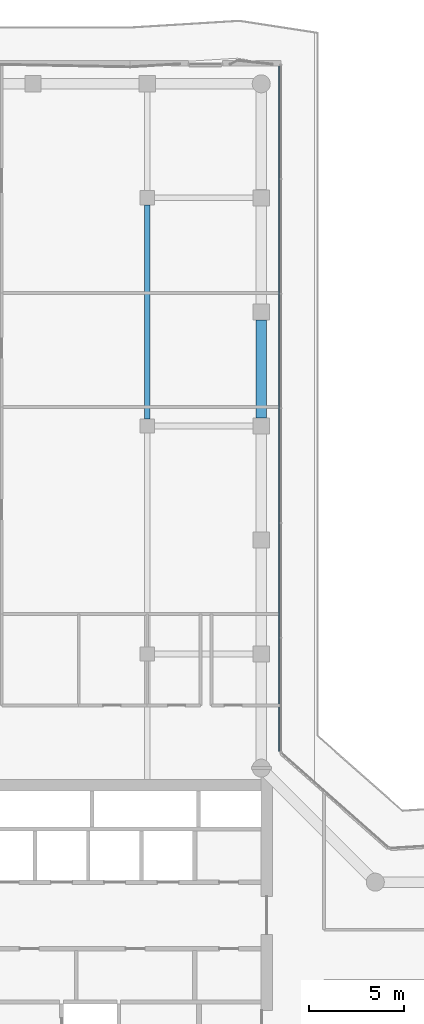
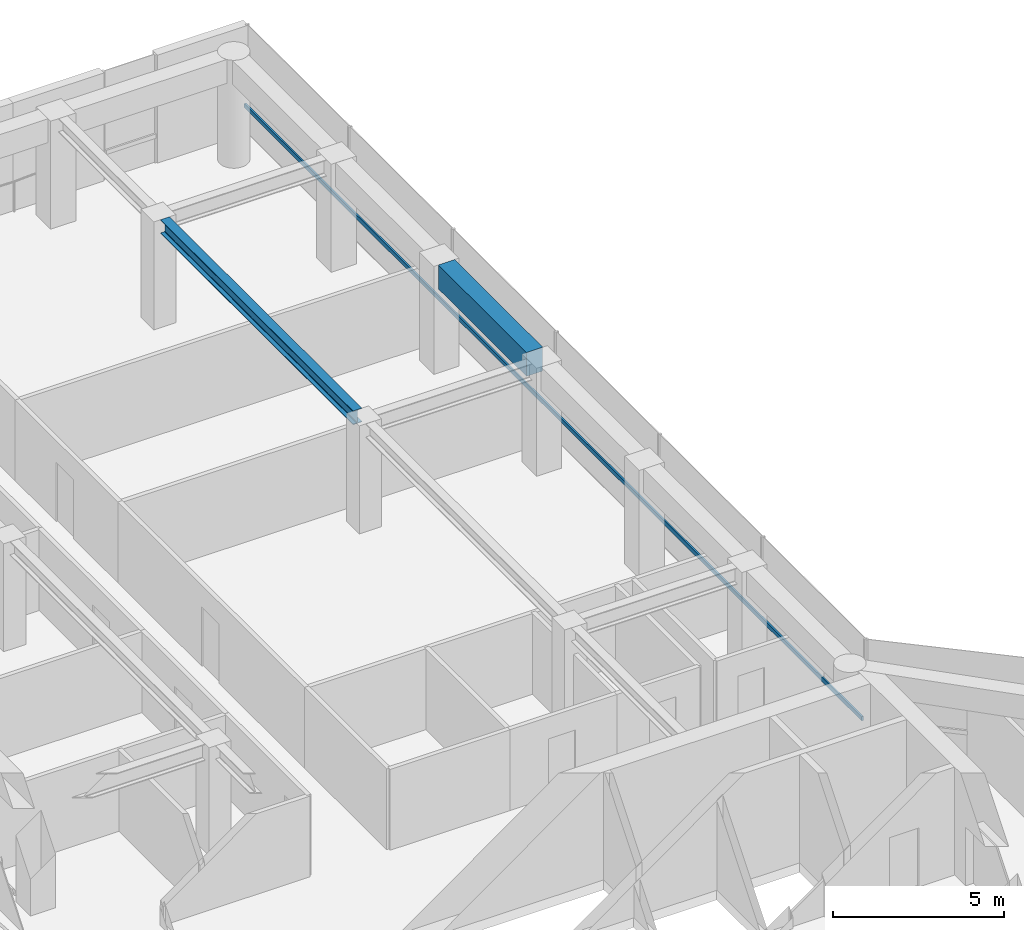
# One storey, part 14 of 21: 2 beams, 1 member, 1 element without a shape of its own.
"""IFC4 building model written with IfcOpenShell, lengths in metres."""

from ifc_helpers import new_model, si_unit, direction, frame, origin, origin_2d, place, context, subcontext, project, spatial, rectangle, i_section, extrude, material, layer, layer_set, material_profile, profile_set, type_object, element, aggregate, save


model = new_model("IFC4")

# Units and contexts
model_context = context("Model", 3, precision=1e-05, world=origin(), true_north=direction((0.0, 1.0)))
body_context = subcontext(model_context, "Body", "Model", "MODEL_VIEW")
ifc_project = project(units=[si_unit("LENGTHUNIT", "METRE"), si_unit("AREAUNIT", "SQUARE_METRE"), si_unit("VOLUMEUNIT", "CUBIC_METRE"), si_unit("PLANEANGLEUNIT", "RADIAN"), si_unit("MASSUNIT", "GRAM", prefix="KILO")], contexts=[model_context])

# Site, building, storey
site_placement = place(None, origin())
site = spatial("IfcSite", under=ifc_project, at=site_placement, CompositionType="ELEMENT")
building_placement = place(site_placement, origin())
building = spatial("IfcBuilding", under=site, at=building_placement, Name="Welwitschia Terrace Campus", CompositionType="ELEMENT")
storey_placement = place(building_placement, frame((0.0, 0.0, 184.39990234375)))
storey = spatial("IfcBuildingStorey", under=building, at=storey_placement, Name="L41", CompositionType="ELEMENT", Elevation=184.39990234375)

# Beams
ifc_material_1 = material(Name="Steel S355", Category="steel")
ifc_material_profile_1 = material_profile(ifc_material_1, i_section(OverallWidth=0.300048828125, OverallDepth=0.489990234375, WebThickness=0.011962890625, FlangeThickness=0.02294921875, FilletRadius=0.027099609375, at=origin_2d()))
ifc_profile_set_1 = profile_set([ifc_material_profile_1], Name="Steel S355")
beam_type_1 = type_object("IfcBeamType", Name="Interior girder HE 500 A", PredefinedType="BEAM", material=ifc_profile_set_1)
beam_1_placement = place(storey_placement, frame((18.0, 44.37548828125, 3.60498046875), z_axis=(0.0, 1.0, 0.0), x_axis=(-1.0, 0.0, 0.0)))
element("IfcBeam", 1, at=beam_1_placement, inside=storey, type_object=beam_type_1, Name="Girder GB4", PredefinedType="BEAM", context=body_context, shape_type="SweptSolid", body=[
    extrude(i_section(OverallWidth=0.300048828125, OverallDepth=0.489990234375, WebThickness=0.011962890625, FlangeThickness=0.02294921875, FilletRadius=0.027099609375, at=origin_2d()), origin(), (0.0, 0.0, 1.0), 11.2490234375),
])
ifc_material_2 = material(Name="Concrete C50/60", Category="concrete")
ifc_material_profile_2 = material_profile(ifc_material_2, rectangle(XDim=0.550048828125, YDim=0.85009765625, at=origin_2d()))
ifc_profile_set_2 = profile_set([ifc_material_profile_2], Name="Concrete C50/60")
beam_type_2 = type_object("IfcBeamType", Name="Ring spandrel 550x850", PredefinedType="SPANDREL", material=ifc_profile_set_2)
beam_2_placement = place(storey_placement, frame((24.0, 44.425537109375, 3.425048828125), z_axis=(0.0, 1.0, 0.0), x_axis=(-1.0, 0.0, 0.0)))
element("IfcBeam", 2, at=beam_2_placement, inside=storey, type_object=beam_type_2, Name="Spandrel SP3", PredefinedType="SPANDREL", context=body_context, shape_type="SweptSolid", body=[
    extrude(rectangle(XDim=0.550048828125, YDim=0.85009765625, at=origin_2d()), origin(), (0.0, 0.0, 1.0), 5.14892578125),
])

# Curtain wall, member
ifc_material_3 = material(Name="Bronze anodised aluminium", Category="aluminium")
ifc_layer = layer(ifc_material_3, 0.1201171875)
ifc_layer_set = layer_set([ifc_layer], Name="Bronze anodised aluminium")
curtain_wall_type = type_object("IfcCurtainWallType", Name="Curtain wall CW2 tower 6000", PredefinedType="NOTDEFINED", material=ifc_layer_set)
curtain_wall_placement = place(storey_placement, origin())
curtain_wall = element("IfcCurtainWall", 3, at=curtain_wall_placement, inside=storey, type_object=curtain_wall_type, Name="CW L41.7.0", PredefinedType="NOTDEFINED")
ifc_material_4 = material(Name="Bronze anodised aluminium", Category="aluminium")
ifc_material_profile_3 = material_profile(ifc_material_4, rectangle(XDim=0.06005859375, YDim=0.14990234375, at=origin_2d()))
ifc_profile_set_3 = profile_set([ifc_material_profile_3], Name="Bronze anodised aluminium")
member_type = type_object("IfcMemberType", Name="Transom 60x150", PredefinedType="USERDEFINED", material=ifc_profile_set_3)
member_placement = place(storey_placement, frame((24.93994140625, 26.892822265625, 1.0), z_axis=(0.0, 1.0, 0.0), x_axis=(-1.0, 0.0, 0.0)))
member = element("IfcMember", 4, at=member_placement, type_object=member_type, Name="Transom L41.7.0", ObjectType="TRANSOM", PredefinedType="USERDEFINED", context=body_context, shape_type="SweptSolid", body=[
    extrude(rectangle(XDim=0.06005859375, YDim=0.14990234375, at=origin_2d()), origin(), (0.0, 0.0, 1.0), 36.072998046875),
])
aggregate(curtain_wall, [member])

save(model, "model.ifc")
